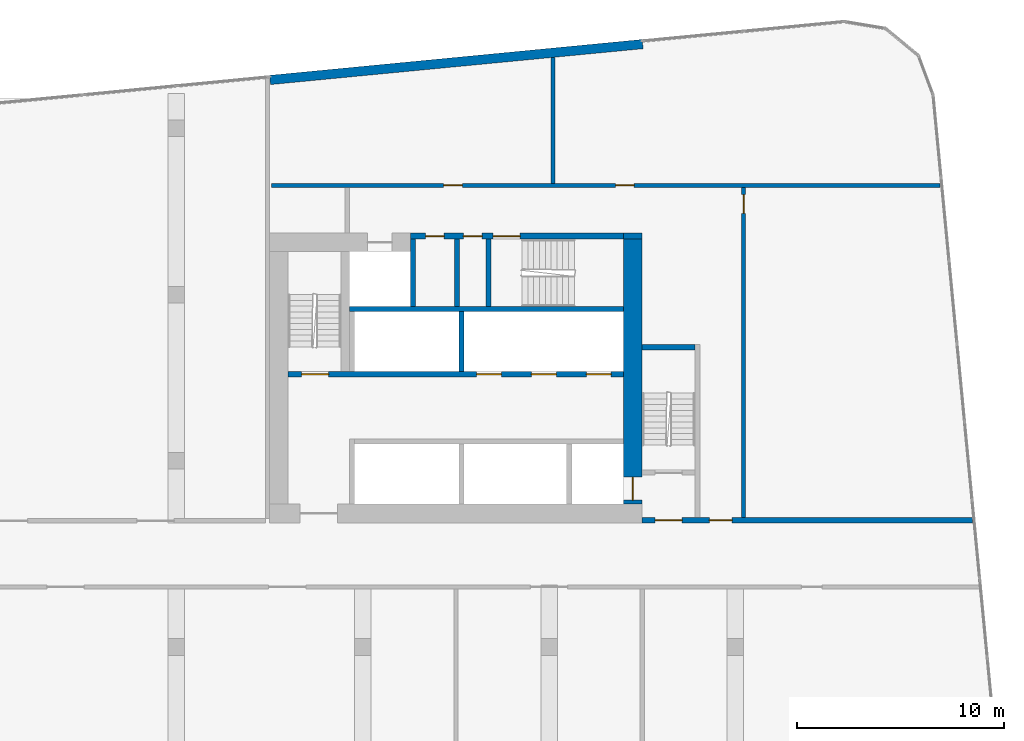
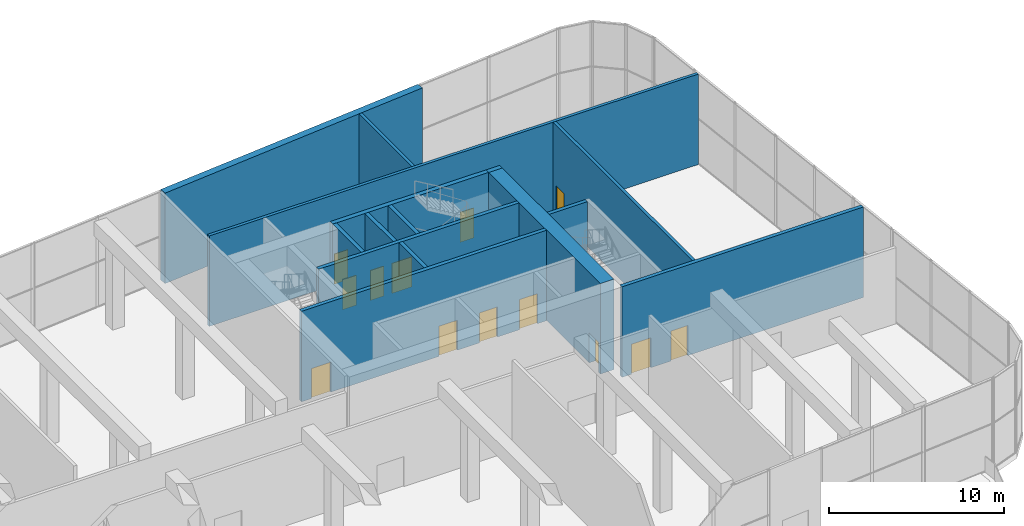
# One storey, part 16 of 25: 15 walls, 13 doors, 13 openings.
"""IFC4 building model written with IfcOpenShell, lengths in metres."""

from ifc_helpers import new_model, si_unit, direction, frame, frame_2d, origin, place, context, subcontext, project, spatial, rectangle, extrude, material, layer, layer_set, type_object, element, fill, save


model = new_model("IFC4")

# Units and contexts
model_context = context("Model", 3, precision=1e-05, world=origin(), true_north=direction((0.0, 1.0)))
body_context = subcontext(model_context, "Body", "Model", "MODEL_VIEW")
ifc_project = project(units=[si_unit("LENGTHUNIT", "METRE"), si_unit("AREAUNIT", "SQUARE_METRE"), si_unit("VOLUMEUNIT", "CUBIC_METRE"), si_unit("PLANEANGLEUNIT", "RADIAN"), si_unit("MASSUNIT", "GRAM", prefix="KILO")], contexts=[model_context])

# Site, building, storey
site_placement = place(None, origin())
site = spatial("IfcSite", under=ifc_project, at=site_placement, CompositionType="ELEMENT")
building_placement = place(site_placement, origin())
building = spatial("IfcBuilding", under=site, at=building_placement, Name="Kajstack Hotel Tower", CompositionType="ELEMENT")
storey_placement = place(building_placement, frame((0.0, 0.0, 104.199951171875)))
storey = spatial("IfcBuildingStorey", under=building, at=storey_placement, Name="L22", CompositionType="ELEMENT", Elevation=104.199951171875)

# Wall
ifc_material_1 = material(Name="Concrete C60/75", Category="concrete")
ifc_layer_1 = layer(ifc_material_1, 0.89990234375)
ifc_layer_set_1 = layer_set([ifc_layer_1], Name="Core wall 900")
wall_type_1 = type_object("IfcWallType", Name="Core wall 900", PredefinedType="SHEAR", material=ifc_layer_set_1)
wall_1_placement = place(storey_placement, frame((30.60009765625, 15.35009765625, 0.0), z_axis=(0.0, 0.0, 1.0), x_axis=(1.0, 0.0, 0.0)))
element("IfcWall", 1, at=wall_1_placement, inside=storey, type_object=wall_type_1, Name="Core wall E RSW", PredefinedType="SHEAR", context=body_context, shape_type="SweptSolid", body=[
    extrude(rectangle(XDim=0.89990234375, YDim=0.300048828125, at=frame_2d((0.449951171875, 0.0))), origin(), (0.0, 0.0, 1.0), 6.320068359375),
])

# Wall, opening, door
wall_2_placement = place(storey_placement, frame((31.050048828125, 2.39990234375, 0.0), z_axis=(0.0, 0.0, 1.0), x_axis=(0.0, 1.0, 0.0)))
wall_2 = element("IfcWall", 2, at=wall_2_placement, inside=storey, type_object=wall_type_1, Name="Core wall E RW", PredefinedType="SHEAR", context=body_context, shape_type="SweptSolid", body=[
    extrude(rectangle(XDim=12.800048828125, YDim=0.89990234375, at=frame_2d((6.39990234375, 0.0))), origin(), (0.0, 0.0, 1.0), 6.320068359375),
])
opening_1_placement = place(wall_2_placement, frame((0.199951171875, 0.0, 0.0)))
opening_1 = element("IfcOpeningElement", 3, at=opening_1_placement, cuts=wall_2, Name="Opening LD-FF2", PredefinedType="OPENING", context=body_context, shape_type="SweptSolid", body=[
    extrude(rectangle(XDim=1.10009765625, YDim=2.10009765625, at=frame_2d((0.550048828125, 1.050048828125))), frame((0.0, 0.4599609375, 0.0), z_axis=(0.0, -1.0, 0.0), x_axis=(1.0, 0.0, 0.0)), (0.0, 0.0, 1.0), 0.919921875),
])
ifc_material_2 = material(Name="Stainless steel", Category="steel")
door_type_1 = type_object("IfcDoorType", Name="Fire-fighting lift landing door 1100", OperationType="SLIDING_TO_LEFT", PredefinedType="DOOR", material=ifc_material_2)
door_1_placement = place(opening_1_placement, origin())
door_1 = element("IfcDoor", 4, at=door_1_placement, inside=storey, type_object=door_type_1, Name="Landing door FF2", OperationType="SLIDING_TO_LEFT", OverallHeight=2.10009765625, OverallWidth=1.10009765625, PredefinedType="DOOR", context=body_context, shape_type="SweptSolid", body=[
    extrude(rectangle(XDim=1.10009765625, YDim=2.10009765625, at=frame_2d((0.550048828125, 1.050048828125))), frame((0.0, 0.02490234375, 0.0), z_axis=(0.0, -1.0, 0.0), x_axis=(1.0, 0.0, 0.0)), (0.0, 0.0, 1.0), 0.050048828125),
])
fill(opening_1, door_1)

# Walls
ifc_material_3 = material(Name="Concrete C40/50", Category="concrete")
ifc_layer_2 = layer(ifc_material_3, 0.449951171875)
ifc_layer_set_2 = layer_set([ifc_layer_2], Name="EW-CORE")
wall_type_2 = type_object("IfcWallType", Name="EW-CORE", PredefinedType="SOLIDWALL", material=ifc_layer_set_2)
wall_3_placement = place(storey_placement, frame((31.521484375, 24.623291015625, 0.0), z_axis=(0.0, 0.0, 1.0), x_axis=(-0.995396454615, -0.095843091245, 0.0)))
element("IfcWall", 5, at=wall_3_placement, inside=storey, type_object=wall_type_2, Name="E-wall-L22-12-01", PredefinedType="SOLIDWALL", context=body_context, shape_type="SweptSolid", body=[
    extrude(rectangle(XDim=18.083251953125, YDim=0.449951171875, at=frame_2d((9.04150390625, 0.0))), origin(), (0.0, 0.0, 1.0), 6.320068359375),
])
ifc_material_4 = material(Name="Concrete C50/60", Category="concrete")
ifc_layer_3 = layer(ifc_material_4, 0.300048828125)
ifc_layer_set_3 = layer_set([ifc_layer_3], Name="Hoistway divider wall 300")
wall_type_3 = type_object("IfcWallType", Name="Hoistway divider wall 300", PredefinedType="SHEAR", material=ifc_layer_set_3)
wall_4_placement = place(storey_placement, frame((22.77490234375, 8.800048828125, 0.0), z_axis=(0.0, 0.0, 1.0), x_axis=(0.0, 1.0, 0.0)))
element("IfcWall", 6, at=wall_4_placement, inside=storey, type_object=wall_type_3, Name="Core wall E BP2", PredefinedType="SHEAR", context=body_context, shape_type="SweptSolid", body=[
    extrude(rectangle(XDim=2.89990234375, YDim=0.25, at=frame_2d((1.449951171875, 0.0))), origin(), (0.0, 0.0, 1.0), 6.320068359375),
])
ifc_material_5 = material(Name="Concrete block masonry", Category="masonry")
ifc_layer_4 = layer(ifc_material_5, 0.25)
ifc_layer_set_4 = layer_set([ifc_layer_4], Name="Riser partition 250")
wall_type_4 = type_object("IfcWallType", Name="Riser partition 250", PredefinedType="PARTITIONING", material=ifc_layer_set_4)
wall_5_placement = place(storey_placement, frame((22.550048828125, 11.949951171875, 0.0), z_axis=(0.0, 0.0, 1.0), x_axis=(0.0, 1.0, 0.0)))
element("IfcWall", 7, at=wall_5_placement, inside=storey, type_object=wall_type_4, Name="Partition E SZ0", PredefinedType="PARTITIONING", context=body_context, shape_type="SweptSolid", body=[
    extrude(rectangle(XDim=3.25, YDim=0.25, at=frame_2d((1.625, 0.0))), origin(), (0.0, 0.0, 1.0), 6.320068359375),
])

# Wall, openings, doors
ifc_material_6 = material(Name="Gypsum board on steel studs, mineral wool", Category="steel")
ifc_layer_5 = layer(ifc_material_6, 0.199951171875)
ifc_layer_set_5 = layer_set([ifc_layer_5], Name="Service partition 200")
wall_type_5 = type_object("IfcWallType", Name="Service partition 200", PredefinedType="PARTITIONING", material=ifc_layer_set_5)
wall_6_placement = place(storey_placement, frame((31.5, 1.625, 0.0), z_axis=(0.0, 0.0, 1.0), x_axis=(1.0, 0.0, 0.0)))
wall_6 = element("IfcWall", 8, at=wall_6_placement, inside=storey, type_object=wall_type_5, Name="Partition E SN", PredefinedType="PARTITIONING", context=body_context, shape_type="SweptSolid", body=[
    extrude(rectangle(XDim=15.95166015625, YDim=0.25, at=frame_2d((7.975830078125, 0.0))), origin(), (0.0, 0.0, 1.0), 6.320068359375),
])
opening_2_placement = place(wall_6_placement, frame((0.625, 0.0, 0.0)))
opening_2 = element("IfcOpeningElement", 9, at=opening_2_placement, cuts=wall_6, Name="Opening 22E07", PredefinedType="OPENING", context=body_context, shape_type="SweptSolid", body=[
    extrude(rectangle(XDim=1.300048828125, YDim=2.10009765625, at=frame_2d((0.64990234375, 1.050048828125))), frame((0.0, 0.135009765625, 0.0), z_axis=(0.0, -1.0, 0.0), x_axis=(1.0, 0.0, 0.0)), (0.0, 0.0, 1.0), 0.27001953125),
])
opening_3_placement = place(wall_6_placement, frame((3.25, 0.0, 0.0)))
opening_3 = element("IfcOpeningElement", 10, at=opening_3_placement, cuts=wall_6, Name="Opening 22E09", PredefinedType="OPENING", context=body_context, shape_type="SweptSolid", body=[
    extrude(rectangle(XDim=1.10009765625, YDim=2.10009765625, at=frame_2d((0.550048828125, 1.050048828125))), frame((0.0, 0.135009765625, 0.0), z_axis=(0.0, -1.0, 0.0), x_axis=(1.0, 0.0, 0.0)), (0.0, 0.0, 1.0), 0.27001953125),
])
ifc_material_7 = material(Name="Steel leaf, fire-rated", Category="steel")
door_type_2 = type_object("IfcDoorType", Name="Fire lobby door 1300", OperationType="SINGLE_SWING_LEFT", PredefinedType="DOOR", material=ifc_material_7)
door_2_placement = place(opening_2_placement, origin())
door_2 = element("IfcDoor", 11, at=door_2_placement, inside=storey, type_object=door_type_2, Name="Door 22E07", OperationType="SINGLE_SWING_LEFT", OverallHeight=2.10009765625, OverallWidth=1.300048828125, PredefinedType="DOOR", context=body_context, shape_type="SweptSolid", body=[
    extrude(rectangle(XDim=1.300048828125, YDim=2.10009765625, at=frame_2d((0.64990234375, 1.050048828125))), frame((0.0, 0.02490234375, 0.0), z_axis=(0.0, -1.0, 0.0), x_axis=(1.0, 0.0, 0.0)), (0.0, 0.0, 1.0), 0.050048828125),
])
fill(opening_2, door_2)
ifc_material_8 = material(Name="Timber leaf, fire-rated", Category="wood")
door_type_3 = type_object("IfcDoorType", Name="Service corridor door 1100", OperationType="SINGLE_SWING_LEFT", PredefinedType="DOOR", material=ifc_material_8)
door_3_placement = place(opening_3_placement, origin())
door_3 = element("IfcDoor", 12, at=door_3_placement, inside=storey, type_object=door_type_3, Name="Door 22E09", OperationType="SINGLE_SWING_LEFT", OverallHeight=2.10009765625, OverallWidth=1.10009765625, PredefinedType="DOOR", context=body_context, shape_type="SweptSolid", body=[
    extrude(rectangle(XDim=1.10009765625, YDim=2.10009765625, at=frame_2d((0.550048828125, 1.050048828125))), frame((0.0, 0.02490234375, 0.0), z_axis=(0.0, -1.0, 0.0), x_axis=(1.0, 0.0, 0.0)), (0.0, 0.0, 1.0), 0.050048828125),
])
fill(opening_3, door_3)

# Wall, opening, door
wall_7_placement = place(storey_placement, frame((36.39990234375, 1.75, 0.0), z_axis=(0.0, 0.0, 1.0), x_axis=(0.0, 1.0, 0.0)))
wall_7 = element("IfcWall", 13, at=wall_7_placement, inside=storey, type_object=wall_type_5, Name="Partition E WRE", PredefinedType="PARTITIONING", context=body_context, shape_type="SweptSolid", body=[
    extrude(rectangle(XDim=15.949951171875, YDim=0.199951171875, at=frame_2d((7.97509765625, 0.0))), origin(), (0.0, 0.0, 1.0), 6.320068359375),
])
opening_4_placement = place(wall_7_placement, frame((14.699951171875, 0.0, 0.0)))
opening_4 = element("IfcOpeningElement", 14, at=opening_4_placement, cuts=wall_7, Name="Opening 22E16", PredefinedType="OPENING", context=body_context, shape_type="SweptSolid", body=[
    extrude(rectangle(XDim=0.89990234375, YDim=2.10009765625, at=frame_2d((0.449951171875, 1.050048828125))), frame((0.0, 0.10986328125, 0.0), z_axis=(0.0, -1.0, 0.0), x_axis=(1.0, 0.0, 0.0)), (0.0, 0.0, 1.0), 0.219970703125),
])
door_type_4 = type_object("IfcDoorType", Name="Service door 900", OperationType="SINGLE_SWING_LEFT", PredefinedType="DOOR", material=ifc_material_8)
door_4_placement = place(opening_4_placement, origin())
door_4 = element("IfcDoor", 15, at=door_4_placement, inside=storey, type_object=door_type_4, Name="Door 22E16", OperationType="SINGLE_SWING_RIGHT", OverallHeight=2.10009765625, OverallWidth=0.89990234375, PredefinedType="DOOR", context=body_context, shape_type="SweptSolid", body=[
    extrude(rectangle(XDim=0.89990234375, YDim=2.10009765625, at=frame_2d((0.449951171875, 1.050048828125))), frame((0.0, 0.02490234375, 0.0), z_axis=(0.0, -1.0, 0.0), x_axis=(1.0, 0.0, 0.0)), (0.0, 0.0, 1.0), 0.050048828125),
])
fill(opening_4, door_4)

# Wall, openings, doors
wall_8_placement = place(storey_placement, frame((13.60009765625, 17.800048828125, 0.0), z_axis=(0.0, 0.0, 1.0), x_axis=(1.0, 0.0, 0.0)))
wall_8 = element("IfcWall", 16, at=wall_8_placement, inside=storey, type_object=wall_type_5, Name="Partition E SLN", PredefinedType="PARTITIONING", context=body_context, shape_type="SweptSolid", body=[
    extrude(rectangle(XDim=32.294189453125, YDim=0.199951171875, at=frame_2d((16.14697265625, 0.0))), origin(), (0.0, 0.0, 1.0), 6.320068359375),
])
opening_5_placement = place(wall_8_placement, frame((16.612548828125, 0.0, 0.0)))
opening_5 = element("IfcOpeningElement", 17, at=opening_5_placement, cuts=wall_8, Name="Opening 22E14", PredefinedType="OPENING", context=body_context, shape_type="SweptSolid", body=[
    extrude(rectangle(XDim=0.89990234375, YDim=2.10009765625, at=frame_2d((0.449951171875, 1.050048828125))), frame((0.0, 0.10986328125, 0.0), z_axis=(0.0, -1.0, 0.0), x_axis=(1.0, 0.0, 0.0)), (0.0, 0.0, 1.0), 0.219970703125),
])
opening_6_placement = place(wall_8_placement, frame((8.3125, 0.0, 0.0)))
opening_6 = element("IfcOpeningElement", 18, at=opening_6_placement, cuts=wall_8, Name="Opening 22E15", PredefinedType="OPENING", context=body_context, shape_type="SweptSolid", body=[
    extrude(rectangle(XDim=0.89990234375, YDim=2.10009765625, at=frame_2d((0.449951171875, 1.050048828125))), frame((0.0, 0.10986328125, 0.0), z_axis=(0.0, -1.0, 0.0), x_axis=(1.0, 0.0, 0.0)), (0.0, 0.0, 1.0), 0.219970703125),
])
door_5_placement = place(opening_5_placement, origin())
door_5 = element("IfcDoor", 19, at=door_5_placement, inside=storey, type_object=door_type_4, Name="Door 22E14", OperationType="SINGLE_SWING_LEFT", OverallHeight=2.10009765625, OverallWidth=0.89990234375, PredefinedType="DOOR", context=body_context, shape_type="SweptSolid", body=[
    extrude(rectangle(XDim=0.89990234375, YDim=2.10009765625, at=frame_2d((0.449951171875, 1.050048828125))), frame((0.0, 0.02490234375, 0.0), z_axis=(0.0, -1.0, 0.0), x_axis=(1.0, 0.0, 0.0)), (0.0, 0.0, 1.0), 0.050048828125),
])
fill(opening_5, door_5)
door_6_placement = place(opening_6_placement, origin())
door_6 = element("IfcDoor", 20, at=door_6_placement, inside=storey, type_object=door_type_4, Name="Door 22E15", OperationType="SINGLE_SWING_LEFT", OverallHeight=2.10009765625, OverallWidth=0.89990234375, PredefinedType="DOOR", context=body_context, shape_type="SweptSolid", body=[
    extrude(rectangle(XDim=0.89990234375, YDim=2.10009765625, at=frame_2d((0.449951171875, 1.050048828125))), frame((0.0, 0.02490234375, 0.0), z_axis=(0.0, -1.0, 0.0), x_axis=(1.0, 0.0, 0.0)), (0.0, 0.0, 1.0), 0.050048828125),
])
fill(opening_6, door_6)

# Wall
wall_9_placement = place(storey_placement, frame((27.199951171875, 17.89990234375, 0.0), z_axis=(0.0, 0.0, 1.0), x_axis=(0.0, 1.0, 0.0)))
element("IfcWall", 21, at=wall_9_placement, inside=storey, type_object=wall_type_5, Name="Partition E SLP0", PredefinedType="PARTITIONING", context=body_context, shape_type="SweptSolid", body=[
    extrude(rectangle(XDim=6.082275390625, YDim=0.199951171875, at=frame_2d((3.041015625, 0.0))), origin(), (0.0, 0.0, 1.0), 6.320068359375),
])

# Wall, openings, doors
ifc_layer_6 = layer(ifc_material_4, 0.25)
ifc_layer_set_6 = layer_set([ifc_layer_6], Name="Shaft wall 250")
wall_type_6 = type_object("IfcWallType", Name="Shaft wall 250", PredefinedType="SHEAR", material=ifc_layer_set_6)
wall_10_placement = place(storey_placement, frame((20.300048828125, 15.35009765625, 0.0), z_axis=(0.0, 0.0, 1.0), x_axis=(1.0, 0.0, 0.0)))
wall_10 = element("IfcWall", 22, at=wall_10_placement, inside=storey, type_object=wall_type_6, Name="Core wall E RSS", PredefinedType="SHEAR", context=body_context, shape_type="SweptSolid", body=[
    extrude(rectangle(XDim=10.300048828125, YDim=0.300048828125, at=frame_2d((5.14990234375, 0.0))), origin(), (0.0, 0.0, 1.0), 6.320068359375),
])
opening_7_placement = place(wall_10_placement, frame((4.0, 0.0, 0.0)))
opening_7 = element("IfcOpeningElement", 23, at=opening_7_placement, cuts=wall_10, Name="Opening 22E11", PredefinedType="OPENING", context=body_context, shape_type="SweptSolid", body=[
    extrude(rectangle(XDim=1.300048828125, YDim=2.10009765625, at=frame_2d((0.64990234375, 1.050048828125))), frame((0.0, 0.159912109375, 0.0), z_axis=(0.0, -1.0, 0.0), x_axis=(1.0, 0.0, 0.0)), (0.0, 0.0, 1.0), 0.320068359375),
])
opening_8_placement = place(wall_10_placement, frame((2.5625, 0.0, 0.0)))
opening_8 = element("IfcOpeningElement", 24, at=opening_8_placement, cuts=wall_10, Name="Opening 22E12", PredefinedType="OPENING", context=body_context, shape_type="SweptSolid", body=[
    extrude(rectangle(XDim=0.89990234375, YDim=2.10009765625, at=frame_2d((0.449951171875, 1.050048828125))), frame((0.0, 0.159912109375, 0.0), z_axis=(0.0, -1.0, 0.0), x_axis=(1.0, 0.0, 0.0)), (0.0, 0.0, 1.0), 0.320068359375),
])
opening_9_placement = place(wall_10_placement, frame((0.737548828125, 0.0, 0.0)))
opening_9 = element("IfcOpeningElement", 25, at=opening_9_placement, cuts=wall_10, Name="Opening 22E13", PredefinedType="OPENING", context=body_context, shape_type="SweptSolid", body=[
    extrude(rectangle(XDim=0.89990234375, YDim=2.10009765625, at=frame_2d((0.449951171875, 1.050048828125))), frame((0.0, 0.159912109375, 0.0), z_axis=(0.0, -1.0, 0.0), x_axis=(1.0, 0.0, 0.0)), (0.0, 0.0, 1.0), 0.320068359375),
])
door_type_5 = type_object("IfcDoorType", Name="Riser door 900", OperationType="SINGLE_SWING_LEFT", PredefinedType="DOOR", material=ifc_material_7)
door_7_placement = place(opening_9_placement, origin())
door_7 = element("IfcDoor", 26, at=door_7_placement, inside=storey, type_object=door_type_5, Name="Door 22E13", OperationType="SINGLE_SWING_RIGHT", OverallHeight=2.10009765625, OverallWidth=0.89990234375, PredefinedType="DOOR", context=body_context, shape_type="SweptSolid", body=[
    extrude(rectangle(XDim=0.89990234375, YDim=2.10009765625, at=frame_2d((0.449951171875, 1.050048828125))), frame((0.0, 0.02490234375, 0.0), z_axis=(0.0, -1.0, 0.0), x_axis=(1.0, 0.0, 0.0)), (0.0, 0.0, 1.0), 0.050048828125),
])
fill(opening_9, door_7)
door_8_placement = place(opening_8_placement, origin())
door_8 = element("IfcDoor", 27, at=door_8_placement, inside=storey, type_object=door_type_4, Name="Door 22E12", OperationType="SINGLE_SWING_RIGHT", OverallHeight=2.10009765625, OverallWidth=0.89990234375, PredefinedType="DOOR", context=body_context, shape_type="SweptSolid", body=[
    extrude(rectangle(XDim=0.89990234375, YDim=2.10009765625, at=frame_2d((0.449951171875, 1.050048828125))), frame((0.0, 0.02490234375, 0.0), z_axis=(0.0, -1.0, 0.0), x_axis=(1.0, 0.0, 0.0)), (0.0, 0.0, 1.0), 0.050048828125),
])
fill(opening_8, door_8)
door_type_6 = type_object("IfcDoorType", Name="Stair door 1300", OperationType="SINGLE_SWING_LEFT", PredefinedType="DOOR", material=ifc_material_7)
door_9_placement = place(opening_7_placement, origin())
door_9 = element("IfcDoor", 28, at=door_9_placement, inside=storey, type_object=door_type_6, Name="Door 22E11", OperationType="SINGLE_SWING_LEFT", OverallHeight=2.10009765625, OverallWidth=1.300048828125, PredefinedType="DOOR", context=body_context, shape_type="SweptSolid", body=[
    extrude(rectangle(XDim=1.300048828125, YDim=2.10009765625, at=frame_2d((0.64990234375, 1.050048828125))), frame((0.0, 0.02490234375, 0.0), z_axis=(0.0, -1.0, 0.0), x_axis=(1.0, 0.0, 0.0)), (0.0, 0.0, 1.0), 0.050048828125),
])
fill(opening_7, door_9)

wall_11_placement = place(storey_placement, frame((14.39990234375, 8.675048828125, 0.0), z_axis=(0.0, 0.0, 1.0), x_axis=(1.0, 0.0, 0.0)))
wall_11 = element("IfcWall", 29, at=wall_11_placement, inside=storey, type_object=wall_type_6, Name="Core wall E FB", PredefinedType="SHEAR", context=body_context, shape_type="SweptSolid", body=[
    extrude(rectangle(XDim=16.2001953125, YDim=0.25, at=frame_2d((8.10009765625, 0.0))), origin(), (0.0, 0.0, 1.0), 6.320068359375),
])
opening_10_placement = place(wall_11_placement, frame((14.39990234375, 0.0, 0.0)))
opening_10 = element("IfcOpeningElement", 30, at=opening_10_placement, cuts=wall_11, Name="Opening LD-LR4", PredefinedType="OPENING", context=body_context, shape_type="SweptSolid", body=[
    extrude(rectangle(XDim=1.199951171875, YDim=2.10009765625, at=frame_2d((0.60009765625, 1.050048828125))), frame((0.0, 0.135009765625, 0.0), z_axis=(0.0, -1.0, 0.0), x_axis=(1.0, 0.0, 0.0)), (0.0, 0.0, 1.0), 0.27001953125),
])
opening_11_placement = place(wall_11_placement, frame((11.75, 0.0, 0.0)))
opening_11 = element("IfcOpeningElement", 31, at=opening_11_placement, cuts=wall_11, Name="Opening LD-LR5", PredefinedType="OPENING", context=body_context, shape_type="SweptSolid", body=[
    extrude(rectangle(XDim=1.199951171875, YDim=2.10009765625, at=frame_2d((0.60009765625, 1.050048828125))), frame((0.0, 0.135009765625, 0.0), z_axis=(0.0, -1.0, 0.0), x_axis=(1.0, 0.0, 0.0)), (0.0, 0.0, 1.0), 0.27001953125),
])
opening_12_placement = place(wall_11_placement, frame((9.10009765625, 0.0, 0.0)))
opening_12 = element("IfcOpeningElement", 32, at=opening_12_placement, cuts=wall_11, Name="Opening LD-LR6", PredefinedType="OPENING", context=body_context, shape_type="SweptSolid", body=[
    extrude(rectangle(XDim=1.199951171875, YDim=2.10009765625, at=frame_2d((0.60009765625, 1.050048828125))), frame((0.0, 0.135009765625, 0.0), z_axis=(0.0, -1.0, 0.0), x_axis=(1.0, 0.0, 0.0)), (0.0, 0.0, 1.0), 0.27001953125),
])
opening_13_placement = place(wall_11_placement, frame((0.64990234375, 0.0, 0.0)))
opening_13 = element("IfcOpeningElement", 33, at=opening_13_placement, cuts=wall_11, Name="Opening 22E10", PredefinedType="OPENING", context=body_context, shape_type="SweptSolid", body=[
    extrude(rectangle(XDim=1.300048828125, YDim=2.10009765625, at=frame_2d((0.64990234375, 1.050048828125))), frame((0.0, 0.135009765625, 0.0), z_axis=(0.0, -1.0, 0.0), x_axis=(1.0, 0.0, 0.0)), (0.0, 0.0, 1.0), 0.27001953125),
])
door_type_7 = type_object("IfcDoorType", Name="Lift landing door 1200", OperationType="SLIDING_TO_LEFT", PredefinedType="DOOR", material=ifc_material_2)
door_10_placement = place(opening_10_placement, origin())
door_10 = element("IfcDoor", 34, at=door_10_placement, inside=storey, type_object=door_type_7, Name="Landing door LR4", OperationType="SLIDING_TO_LEFT", OverallHeight=2.10009765625, OverallWidth=1.199951171875, PredefinedType="DOOR", context=body_context, shape_type="SweptSolid", body=[
    extrude(rectangle(XDim=1.199951171875, YDim=2.10009765625, at=frame_2d((0.60009765625, 1.050048828125))), frame((0.0, 0.02490234375, 0.0), z_axis=(0.0, -1.0, 0.0), x_axis=(1.0, 0.0, 0.0)), (0.0, 0.0, 1.0), 0.050048828125),
])
fill(opening_10, door_10)
door_11_placement = place(opening_11_placement, origin())
door_11 = element("IfcDoor", 35, at=door_11_placement, inside=storey, type_object=door_type_7, Name="Landing door LR5", OperationType="SLIDING_TO_RIGHT", OverallHeight=2.10009765625, OverallWidth=1.199951171875, PredefinedType="DOOR", context=body_context, shape_type="SweptSolid", body=[
    extrude(rectangle(XDim=1.199951171875, YDim=2.10009765625, at=frame_2d((0.60009765625, 1.050048828125))), frame((0.0, 0.02490234375, 0.0), z_axis=(0.0, -1.0, 0.0), x_axis=(1.0, 0.0, 0.0)), (0.0, 0.0, 1.0), 0.050048828125),
])
fill(opening_11, door_11)
door_12_placement = place(opening_12_placement, origin())
door_12 = element("IfcDoor", 36, at=door_12_placement, inside=storey, type_object=door_type_7, Name="Landing door LR6", OperationType="SLIDING_TO_RIGHT", OverallHeight=2.10009765625, OverallWidth=1.199951171875, PredefinedType="DOOR", context=body_context, shape_type="SweptSolid", body=[
    extrude(rectangle(XDim=1.199951171875, YDim=2.10009765625, at=frame_2d((0.60009765625, 1.050048828125))), frame((0.0, 0.02490234375, 0.0), z_axis=(0.0, -1.0, 0.0), x_axis=(1.0, 0.0, 0.0)), (0.0, 0.0, 1.0), 0.050048828125),
])
fill(opening_12, door_12)
door_13_placement = place(opening_13_placement, origin())
door_13 = element("IfcDoor", 37, at=door_13_placement, inside=storey, type_object=door_type_6, Name="Door 22E10", OperationType="SINGLE_SWING_LEFT", OverallHeight=2.10009765625, OverallWidth=1.300048828125, PredefinedType="DOOR", context=body_context, shape_type="SweptSolid", body=[
    extrude(rectangle(XDim=1.300048828125, YDim=2.10009765625, at=frame_2d((0.64990234375, 1.050048828125))), frame((0.0, 0.02490234375, 0.0), z_axis=(0.0, -1.0, 0.0), x_axis=(1.0, 0.0, 0.0)), (0.0, 0.0, 1.0), 0.050048828125),
])
fill(opening_13, door_13)

# Walls
wall_12_placement = place(storey_placement, frame((17.35009765625, 11.824951171875, 0.0), z_axis=(0.0, 0.0, 1.0), x_axis=(1.0, 0.0, 0.0)))
element("IfcWall", 38, at=wall_12_placement, inside=storey, type_object=wall_type_6, Name="Core wall E RB", PredefinedType="SHEAR", context=body_context, shape_type="SweptSolid", body=[
    extrude(rectangle(XDim=13.25, YDim=0.25, at=frame_2d((6.625, 0.0))), origin(), (0.0, 0.0, 1.0), 6.320068359375),
])
wall_13_placement = place(storey_placement, frame((20.425048828125, 11.949951171875, 0.0), z_axis=(0.0, 0.0, 1.0), x_axis=(0.0, 1.0, 0.0)))
element("IfcWall", 39, at=wall_13_placement, inside=storey, type_object=wall_type_6, Name="Core wall E SVW", PredefinedType="SHEAR", context=body_context, shape_type="SweptSolid", body=[
    extrude(rectangle(XDim=3.25, YDim=0.25, at=frame_2d((1.625, 0.0))), origin(), (0.0, 0.0, 1.0), 6.320068359375),
])
ifc_layer_7 = layer(ifc_material_3, 0.25)
ifc_layer_set_7 = layer_set([ifc_layer_7], Name="Stair enclosure wall 250")
wall_type_7 = type_object("IfcWallType", Name="Stair enclosure wall 250", PredefinedType="SHEAR", material=ifc_layer_set_7)
wall_14_placement = place(storey_placement, frame((31.5, 9.97509765625, 0.0), z_axis=(0.0, 0.0, 1.0), x_axis=(1.0, 0.0, 0.0)))
element("IfcWall", 40, at=wall_14_placement, inside=storey, type_object=wall_type_7, Name="Core wall E W1S", PredefinedType="SHEAR", context=body_context, shape_type="SweptSolid", body=[
    extrude(rectangle(XDim=2.550048828125, YDim=0.25, at=frame_2d((1.27490234375, 0.0))), origin(), (0.0, 0.0, 1.0), 6.320068359375),
])
ifc_layer_8 = layer(ifc_material_4, 0.35009765625)
ifc_layer_set_8 = layer_set([ifc_layer_8], Name="Stair enclosure wall 350")
wall_type_8 = type_object("IfcWallType", Name="Stair enclosure wall 350", PredefinedType="SHEAR", material=ifc_layer_set_8)
wall_15_placement = place(storey_placement, frame((24.074951171875, 11.949951171875, 0.0), z_axis=(0.0, 0.0, 1.0), x_axis=(0.0, 1.0, 0.0)))
element("IfcWall", 41, at=wall_15_placement, inside=storey, type_object=wall_type_8, Name="Core wall E W3E", PredefinedType="SHEAR", context=body_context, shape_type="SweptSolid", body=[
    extrude(rectangle(XDim=3.25, YDim=0.25, at=frame_2d((1.625, 0.0))), origin(), (0.0, 0.0, 1.0), 6.320068359375),
])

save(model, "model.ifc")
